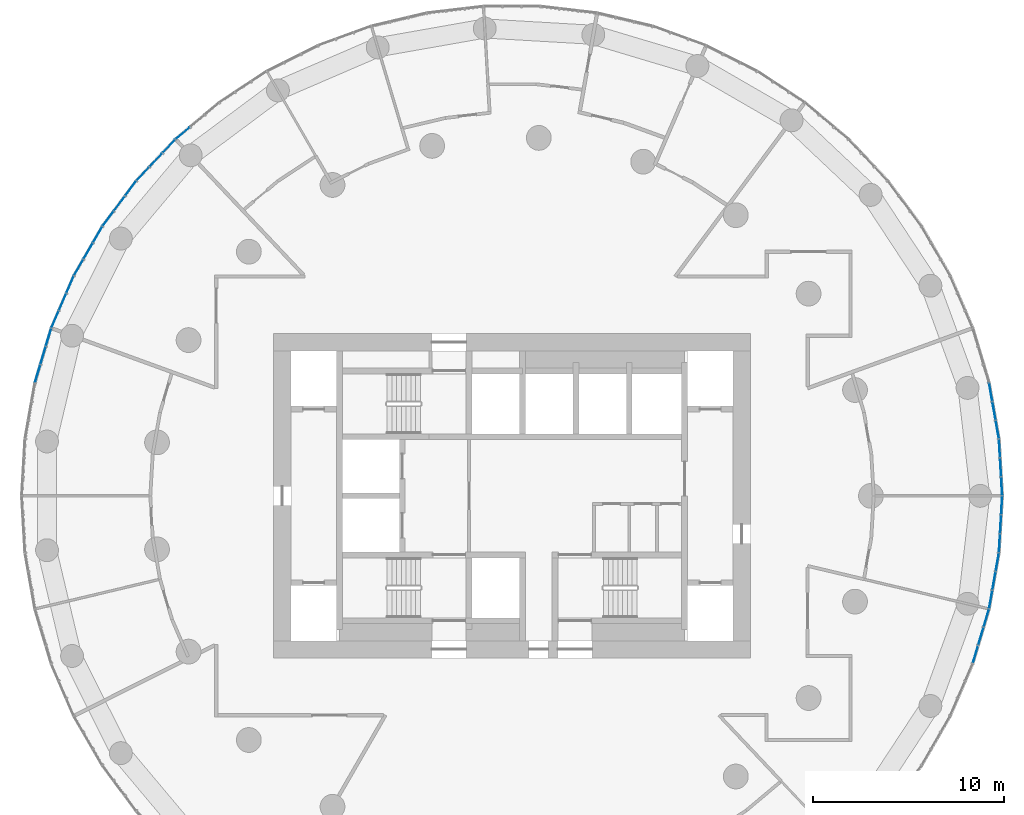
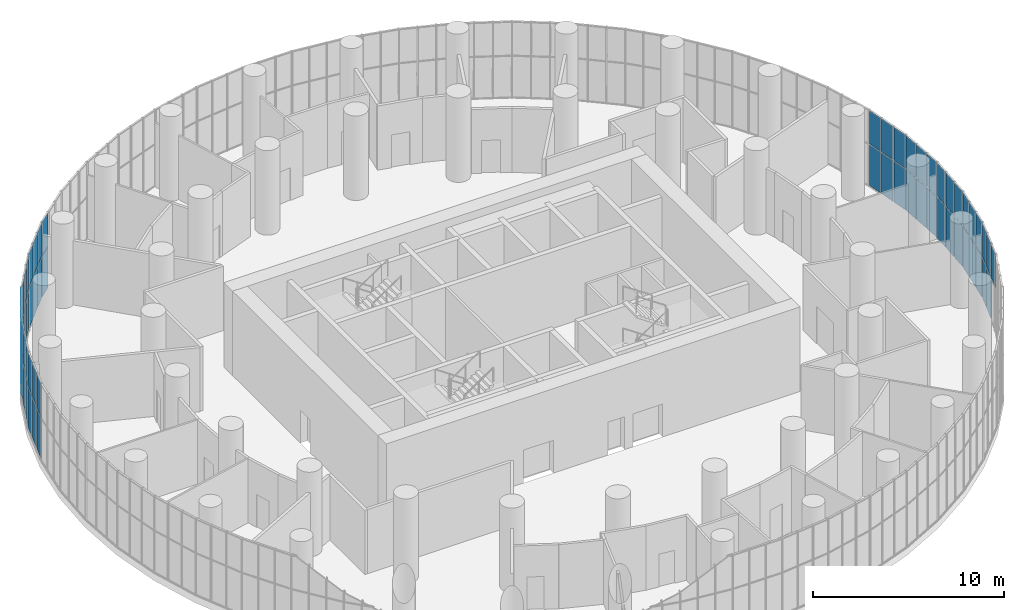
# One storey, part 13 of 21: 61 plates, 11 elements without a shape of their own.
"""IFC4 building model written with IfcOpenShell, lengths in metres."""

from ifc_helpers import new_model, si_unit, direction, frame, origin, origin_2d, place, context, subcontext, project, spatial, rectangle, extrude, material, layer, layer_set, type_object, element, aggregate, save


model = new_model("IFC4")

# Units and contexts
model_context = context("Model", 3, precision=1e-05, world=origin(), true_north=direction((0.0, 1.0)))
body_context = subcontext(model_context, "Body", "Model", "MODEL_VIEW")
ifc_project = project(units=[si_unit("LENGTHUNIT", "METRE"), si_unit("AREAUNIT", "SQUARE_METRE"), si_unit("VOLUMEUNIT", "CUBIC_METRE"), si_unit("PLANEANGLEUNIT", "RADIAN"), si_unit("MASSUNIT", "GRAM", prefix="KILO")], contexts=[model_context])

# Site, building, storey
site_placement = place(None, origin())
site = spatial("IfcSite", under=ifc_project, at=site_placement, CompositionType="ELEMENT")
building_placement = place(site_placement, origin())
building = spatial("IfcBuilding", under=site, at=building_placement, Name="Tracery Tower", CompositionType="ELEMENT")
storey_placement = place(building_placement, frame((0.0, 0.0, 219.60009765625)))
storey = spatial("IfcBuildingStorey", under=building, at=storey_placement, Name="L57", CompositionType="ELEMENT", Elevation=219.60009765625)

# Curtain wall, plates
ifc_material_1 = material(Name="Aluminium curtain wall with tinted glass", Category="aluminium")
ifc_layer_1 = layer(ifc_material_1, 0.159912109375)
ifc_layer_set_1 = layer_set([ifc_layer_1], Name="Sky lounge 2 tracery curtain wall")
curtain_wall_type = type_object("IfcCurtainWallType", Name="Sky lounge 2 tracery curtain wall", PredefinedType="NOTDEFINED", material=ifc_layer_set_1)
curtain_wall_1_placement = place(storey_placement, origin())
curtain_wall_1 = element("IfcCurtainWall", 1, at=curtain_wall_1_placement, inside=storey, type_object=curtain_wall_type, Name="Sky lounge 2 curtain wall run 1", PredefinedType="NOTDEFINED")
ifc_material_2 = material(Name="Tinted laminated glass", Category="glass")
ifc_layer_2 = layer(ifc_material_2, 0.028076171875)
ifc_layer_set_2 = layer_set([ifc_layer_2], Name="Sky lounge 2 glass panel 28")
plate_type = type_object("IfcPlateType", Name="Sky lounge 2 glass panel 28", PredefinedType="CURTAIN_PANEL", material=ifc_layer_set_2)
plate_1_placement = place(storey_placement, frame((25.678466796875, 0.497314453125, 0.06005859375), z_axis=(0.0, 0.0, 1.0), x_axis=(-0.058144828905, 0.998308158272, 0.0)))
plate_1 = element("IfcPlate", 2, at=plate_1_placement, type_object=plate_type, Name="Sky lounge 2 curtain wall run 1 glass panel 1", PredefinedType="CURTAIN_PANEL", context=body_context, shape_type="SweptSolid", body=[
    extrude(rectangle(XDim=0.9365234375, YDim=0.028076171875, at=origin_2d()), origin(), (0.0, 0.0, 1.0), 2.610107421875),
])
plate_2_placement = place(storey_placement, frame((25.678466796875, 0.497314453125, 2.72998046875), z_axis=(0.0, 0.0, 1.0), x_axis=(-0.058144828905, 0.998308158272, 0.0)))
plate_2 = element("IfcPlate", 3, at=plate_2_placement, type_object=plate_type, Name="Sky lounge 2 curtain wall run 1 glass panel 2", PredefinedType="CURTAIN_PANEL", context=body_context, shape_type="SweptSolid", body=[
    extrude(rectangle(XDim=0.9365234375, YDim=0.028076171875, at=origin_2d()), origin(), (0.0, 0.0, 1.0), 2.110107421875),
])
plate_3_placement = place(storey_placement, frame((25.62060546875, 1.4921875, 0.06005859375), z_axis=(0.0, 0.0, 1.0), x_axis=(-0.058144828905, 0.998308158272, 0.0)))
plate_3 = element("IfcPlate", 4, at=plate_3_placement, type_object=plate_type, Name="Sky lounge 2 curtain wall run 1 glass panel 3", PredefinedType="CURTAIN_PANEL", context=body_context, shape_type="SweptSolid", body=[
    extrude(rectangle(XDim=0.9365234375, YDim=0.028076171875, at=origin_2d()), origin(), (0.0, 0.0, 1.0), 2.610107421875),
])
plate_4_placement = place(storey_placement, frame((25.62060546875, 1.4921875, 2.72998046875), z_axis=(0.0, 0.0, 1.0), x_axis=(-0.058144828905, 0.998308158272, 0.0)))
plate_4 = element("IfcPlate", 5, at=plate_4_placement, type_object=plate_type, Name="Sky lounge 2 curtain wall run 1 glass panel 4", PredefinedType="CURTAIN_PANEL", context=body_context, shape_type="SweptSolid", body=[
    extrude(rectangle(XDim=0.9365234375, YDim=0.028076171875, at=origin_2d()), origin(), (0.0, 0.0, 1.0), 2.110107421875),
])
plate_5_placement = place(storey_placement, frame((25.562744140625, 2.487060546875, 0.06005859375), z_axis=(0.0, 0.0, 1.0), x_axis=(-0.058144828905, 0.998308158272, 0.0)))
plate_5 = element("IfcPlate", 6, at=plate_5_placement, type_object=plate_type, Name="Sky lounge 2 curtain wall run 1 glass panel 5", PredefinedType="CURTAIN_PANEL", context=body_context, shape_type="SweptSolid", body=[
    extrude(rectangle(XDim=0.9365234375, YDim=0.028076171875, at=origin_2d()), origin(), (0.0, 0.0, 1.0), 2.610107421875),
])
plate_6_placement = place(storey_placement, frame((25.562744140625, 2.487060546875, 2.72998046875), z_axis=(0.0, 0.0, 1.0), x_axis=(-0.058144828905, 0.998308158272, 0.0)))
plate_6 = element("IfcPlate", 7, at=plate_6_placement, type_object=plate_type, Name="Sky lounge 2 curtain wall run 1 glass panel 6", PredefinedType="CURTAIN_PANEL", context=body_context, shape_type="SweptSolid", body=[
    extrude(rectangle(XDim=0.9365234375, YDim=0.028076171875, at=origin_2d()), origin(), (0.0, 0.0, 1.0), 2.110107421875),
])
aggregate(curtain_wall_1, [plate_1, plate_2, plate_3, plate_4, plate_5, plate_6])

curtain_wall_2_placement = place(storey_placement, origin())
curtain_wall_2 = element("IfcCurtainWall", 8, at=curtain_wall_2_placement, inside=storey, type_object=curtain_wall_type, Name="Sky lounge 2 curtain wall run 2", PredefinedType="NOTDEFINED")
plate_7_placement = place(storey_placement, frame((25.447265625, 3.47509765625, 0.06005859375), z_axis=(0.0, 0.0, 1.0), x_axis=(-0.173648177667, 0.984807753012, 0.0)))
plate_7 = element("IfcPlate", 9, at=plate_7_placement, type_object=plate_type, Name="Sky lounge 2 curtain wall run 2 glass panel 1", PredefinedType="CURTAIN_PANEL", context=body_context, shape_type="SweptSolid", body=[
    extrude(rectangle(XDim=0.9365234375, YDim=0.028076171875, at=origin_2d()), origin(), (0.0, 0.0, 1.0), 2.610107421875),
])
plate_8_placement = place(storey_placement, frame((25.447265625, 3.47509765625, 2.72998046875), z_axis=(0.0, 0.0, 1.0), x_axis=(-0.173648177667, 0.984807753012, 0.0)))
plate_8 = element("IfcPlate", 10, at=plate_8_placement, type_object=plate_type, Name="Sky lounge 2 curtain wall run 2 glass panel 2", PredefinedType="CURTAIN_PANEL", context=body_context, shape_type="SweptSolid", body=[
    extrude(rectangle(XDim=0.9365234375, YDim=0.028076171875, at=origin_2d()), origin(), (0.0, 0.0, 1.0), 2.110107421875),
])
plate_9_placement = place(storey_placement, frame((25.274169921875, 4.45654296875, 0.06005859375), z_axis=(0.0, 0.0, 1.0), x_axis=(-0.173648177667, 0.984807753012, 0.0)))
plate_9 = element("IfcPlate", 11, at=plate_9_placement, type_object=plate_type, Name="Sky lounge 2 curtain wall run 2 glass panel 3", PredefinedType="CURTAIN_PANEL", context=body_context, shape_type="SweptSolid", body=[
    extrude(rectangle(XDim=0.9365234375, YDim=0.028076171875, at=origin_2d()), origin(), (0.0, 0.0, 1.0), 2.610107421875),
])
plate_10_placement = place(storey_placement, frame((25.274169921875, 4.45654296875, 2.72998046875), z_axis=(0.0, 0.0, 1.0), x_axis=(-0.173648177667, 0.984807753012, 0.0)))
plate_10 = element("IfcPlate", 12, at=plate_10_placement, type_object=plate_type, Name="Sky lounge 2 curtain wall run 2 glass panel 4", PredefinedType="CURTAIN_PANEL", context=body_context, shape_type="SweptSolid", body=[
    extrude(rectangle(XDim=0.9365234375, YDim=0.028076171875, at=origin_2d()), origin(), (0.0, 0.0, 1.0), 2.110107421875),
])
plate_11_placement = place(storey_placement, frame((25.10107421875, 5.43798828125, 0.06005859375), z_axis=(0.0, 0.0, 1.0), x_axis=(-0.173648177667, 0.984807753012, 0.0)))
plate_11 = element("IfcPlate", 13, at=plate_11_placement, type_object=plate_type, Name="Sky lounge 2 curtain wall run 2 glass panel 5", PredefinedType="CURTAIN_PANEL", context=body_context, shape_type="SweptSolid", body=[
    extrude(rectangle(XDim=0.9365234375, YDim=0.028076171875, at=origin_2d()), origin(), (0.0, 0.0, 1.0), 2.610107421875),
])
plate_12_placement = place(storey_placement, frame((25.10107421875, 5.43798828125, 2.72998046875), z_axis=(0.0, 0.0, 1.0), x_axis=(-0.173648177667, 0.984807753012, 0.0)))
plate_12 = element("IfcPlate", 14, at=plate_12_placement, type_object=plate_type, Name="Sky lounge 2 curtain wall run 2 glass panel 6", PredefinedType="CURTAIN_PANEL", context=body_context, shape_type="SweptSolid", body=[
    extrude(rectangle(XDim=0.9365234375, YDim=0.028076171875, at=origin_2d()), origin(), (0.0, 0.0, 1.0), 2.110107421875),
])
aggregate(curtain_wall_2, [plate_7, plate_8, plate_9, plate_10, plate_11, plate_12])

curtain_wall_3_placement = place(storey_placement, origin())
curtain_wall_3 = element("IfcCurtainWall", 15, at=curtain_wall_3_placement, inside=storey, type_object=curtain_wall_type, Name="Sky lounge 2 curtain wall run 20", PredefinedType="NOTDEFINED")
plate_13_placement = place(storey_placement, frame((-17.260009765625, 19.019287109375, 0.06005859375), z_axis=(0.0, 0.0, 1.0), x_axis=(-0.766044443119, -0.642787609687, 0.0)))
plate_13 = element("IfcPlate", 16, at=plate_13_placement, type_object=plate_type, Name="Sky lounge 2 curtain wall run 20 glass panel 5", PredefinedType="CURTAIN_PANEL", context=body_context, shape_type="SweptSolid", body=[
    extrude(rectangle(XDim=0.9365234375, YDim=0.028076171875, at=origin_2d()), origin(), (0.0, 0.0, 1.0), 2.610107421875),
])
plate_14_placement = place(storey_placement, frame((-17.260009765625, 19.019287109375, 2.72998046875), z_axis=(0.0, 0.0, 1.0), x_axis=(-0.766044443119, -0.642787609687, 0.0)))
plate_14 = element("IfcPlate", 17, at=plate_14_placement, type_object=plate_type, Name="Sky lounge 2 curtain wall run 20 glass panel 6", PredefinedType="CURTAIN_PANEL", context=body_context, shape_type="SweptSolid", body=[
    extrude(rectangle(XDim=0.9365234375, YDim=0.028076171875, at=origin_2d()), origin(), (0.0, 0.0, 1.0), 2.110107421875),
])
aggregate(curtain_wall_3, [plate_13, plate_14])

curtain_wall_4_placement = place(storey_placement, origin())
curtain_wall_4 = element("IfcCurtainWall", 18, at=curtain_wall_4_placement, inside=storey, type_object=curtain_wall_type, Name="Sky lounge 2 curtain wall run 21", PredefinedType="NOTDEFINED")
plate_15_placement = place(storey_placement, frame((-17.9833984375, 18.336669921875, 0.06005859375), z_axis=(0.0, 0.0, 1.0), x_axis=(-0.686241637865, -0.727373641577, 0.0)))
plate_15 = element("IfcPlate", 19, at=plate_15_placement, type_object=plate_type, Name="Sky lounge 2 curtain wall run 21 glass panel 1", PredefinedType="CURTAIN_PANEL", context=body_context, shape_type="SweptSolid", body=[
    extrude(rectangle(XDim=0.9365234375, YDim=0.028076171875, at=origin_2d()), origin(), (0.0, 0.0, 1.0), 2.610107421875),
])
plate_16_placement = place(storey_placement, frame((-17.9833984375, 18.336669921875, 2.72998046875), z_axis=(0.0, 0.0, 1.0), x_axis=(-0.686241637865, -0.727373641577, 0.0)))
plate_16 = element("IfcPlate", 20, at=plate_16_placement, type_object=plate_type, Name="Sky lounge 2 curtain wall run 21 glass panel 2", PredefinedType="CURTAIN_PANEL", context=body_context, shape_type="SweptSolid", body=[
    extrude(rectangle(XDim=0.9365234375, YDim=0.028076171875, at=origin_2d()), origin(), (0.0, 0.0, 1.0), 2.110107421875),
])
plate_17_placement = place(storey_placement, frame((-18.667236328125, 17.61181640625, 0.06005859375), z_axis=(0.0, 0.0, 1.0), x_axis=(-0.686241637865, -0.727373641577, 0.0)))
plate_17 = element("IfcPlate", 21, at=plate_17_placement, type_object=plate_type, Name="Sky lounge 2 curtain wall run 21 glass panel 3", PredefinedType="CURTAIN_PANEL", context=body_context, shape_type="SweptSolid", body=[
    extrude(rectangle(XDim=0.9365234375, YDim=0.028076171875, at=origin_2d()), origin(), (0.0, 0.0, 1.0), 2.610107421875),
])
plate_18_placement = place(storey_placement, frame((-18.667236328125, 17.61181640625, 2.72998046875), z_axis=(0.0, 0.0, 1.0), x_axis=(-0.686241637865, -0.727373641577, 0.0)))
plate_18 = element("IfcPlate", 22, at=plate_18_placement, type_object=plate_type, Name="Sky lounge 2 curtain wall run 21 glass panel 4", PredefinedType="CURTAIN_PANEL", context=body_context, shape_type="SweptSolid", body=[
    extrude(rectangle(XDim=0.9365234375, YDim=0.028076171875, at=origin_2d()), origin(), (0.0, 0.0, 1.0), 2.110107421875),
])
plate_19_placement = place(storey_placement, frame((-19.351318359375, 16.886962890625, 0.06005859375), z_axis=(0.0, 0.0, 1.0), x_axis=(-0.686241637865, -0.727373641577, 0.0)))
plate_19 = element("IfcPlate", 23, at=plate_19_placement, type_object=plate_type, Name="Sky lounge 2 curtain wall run 21 glass panel 5", PredefinedType="CURTAIN_PANEL", context=body_context, shape_type="SweptSolid", body=[
    extrude(rectangle(XDim=0.9365234375, YDim=0.028076171875, at=origin_2d()), origin(), (0.0, 0.0, 1.0), 2.610107421875),
])
plate_20_placement = place(storey_placement, frame((-19.351318359375, 16.886962890625, 2.72998046875), z_axis=(0.0, 0.0, 1.0), x_axis=(-0.686241637865, -0.727373641577, 0.0)))
plate_20 = element("IfcPlate", 24, at=plate_20_placement, type_object=plate_type, Name="Sky lounge 2 curtain wall run 21 glass panel 6", PredefinedType="CURTAIN_PANEL", context=body_context, shape_type="SweptSolid", body=[
    extrude(rectangle(XDim=0.9365234375, YDim=0.028076171875, at=origin_2d()), origin(), (0.0, 0.0, 1.0), 2.110107421875),
])
aggregate(curtain_wall_4, [plate_15, plate_16, plate_17, plate_18, plate_19, plate_20])

curtain_wall_5_placement = place(storey_placement, origin())
curtain_wall_5 = element("IfcCurtainWall", 25, at=curtain_wall_5_placement, inside=storey, type_object=curtain_wall_type, Name="Sky lounge 2 curtain wall run 22", PredefinedType="NOTDEFINED")
plate_21_placement = place(storey_placement, frame((-19.99072265625, 16.124755859375, 0.06005859375), z_axis=(0.0, 0.0, 1.0), x_axis=(-0.597158591707, -0.802123192752, 0.0)))
plate_21 = element("IfcPlate", 26, at=plate_21_placement, type_object=plate_type, Name="Sky lounge 2 curtain wall run 22 glass panel 1", PredefinedType="CURTAIN_PANEL", context=body_context, shape_type="SweptSolid", body=[
    extrude(rectangle(XDim=0.9365234375, YDim=0.028076171875, at=origin_2d()), origin(), (0.0, 0.0, 1.0), 2.610107421875),
])
plate_22_placement = place(storey_placement, frame((-19.99072265625, 16.124755859375, 2.72998046875), z_axis=(0.0, 0.0, 1.0), x_axis=(-0.597158591707, -0.802123192752, 0.0)))
plate_22 = element("IfcPlate", 27, at=plate_22_placement, type_object=plate_type, Name="Sky lounge 2 curtain wall run 22 glass panel 2", PredefinedType="CURTAIN_PANEL", context=body_context, shape_type="SweptSolid", body=[
    extrude(rectangle(XDim=0.9365234375, YDim=0.028076171875, at=origin_2d()), origin(), (0.0, 0.0, 1.0), 2.110107421875),
])
plate_23_placement = place(storey_placement, frame((-20.585693359375, 15.325439453125, 0.06005859375), z_axis=(0.0, 0.0, 1.0), x_axis=(-0.597158591707, -0.802123192752, 0.0)))
plate_23 = element("IfcPlate", 28, at=plate_23_placement, type_object=plate_type, Name="Sky lounge 2 curtain wall run 22 glass panel 3", PredefinedType="CURTAIN_PANEL", context=body_context, shape_type="SweptSolid", body=[
    extrude(rectangle(XDim=0.9365234375, YDim=0.028076171875, at=origin_2d()), origin(), (0.0, 0.0, 1.0), 2.610107421875),
])
plate_24_placement = place(storey_placement, frame((-20.585693359375, 15.325439453125, 2.72998046875), z_axis=(0.0, 0.0, 1.0), x_axis=(-0.597158591707, -0.802123192752, 0.0)))
plate_24 = element("IfcPlate", 29, at=plate_24_placement, type_object=plate_type, Name="Sky lounge 2 curtain wall run 22 glass panel 4", PredefinedType="CURTAIN_PANEL", context=body_context, shape_type="SweptSolid", body=[
    extrude(rectangle(XDim=0.9365234375, YDim=0.028076171875, at=origin_2d()), origin(), (0.0, 0.0, 1.0), 2.110107421875),
])
plate_25_placement = place(storey_placement, frame((-21.180908203125, 14.526123046875, 0.06005859375), z_axis=(0.0, 0.0, 1.0), x_axis=(-0.597158591707, -0.802123192752, 0.0)))
plate_25 = element("IfcPlate", 30, at=plate_25_placement, type_object=plate_type, Name="Sky lounge 2 curtain wall run 22 glass panel 5", PredefinedType="CURTAIN_PANEL", context=body_context, shape_type="SweptSolid", body=[
    extrude(rectangle(XDim=0.9365234375, YDim=0.028076171875, at=origin_2d()), origin(), (0.0, 0.0, 1.0), 2.610107421875),
])
plate_26_placement = place(storey_placement, frame((-21.180908203125, 14.526123046875, 2.72998046875), z_axis=(0.0, 0.0, 1.0), x_axis=(-0.597158591707, -0.802123192752, 0.0)))
plate_26 = element("IfcPlate", 31, at=plate_26_placement, type_object=plate_type, Name="Sky lounge 2 curtain wall run 22 glass panel 6", PredefinedType="CURTAIN_PANEL", context=body_context, shape_type="SweptSolid", body=[
    extrude(rectangle(XDim=0.9365234375, YDim=0.028076171875, at=origin_2d()), origin(), (0.0, 0.0, 1.0), 2.110107421875),
])
aggregate(curtain_wall_5, [plate_21, plate_22, plate_23, plate_24, plate_25, plate_26])

curtain_wall_6_placement = place(storey_placement, origin())
curtain_wall_6 = element("IfcCurtainWall", 32, at=curtain_wall_6_placement, inside=storey, type_object=curtain_wall_type, Name="Sky lounge 2 curtain wall run 23", PredefinedType="NOTDEFINED")
plate_27_placement = place(storey_placement, frame((-21.7275390625, 13.695068359375, 0.06005859375), z_axis=(0.0, 0.0, 1.0), x_axis=(-0.5, -0.866025403784, 0.0)))
plate_27 = element("IfcPlate", 33, at=plate_27_placement, type_object=plate_type, Name="Sky lounge 2 curtain wall run 23 glass panel 1", PredefinedType="CURTAIN_PANEL", context=body_context, shape_type="SweptSolid", body=[
    extrude(rectangle(XDim=0.9365234375, YDim=0.028076171875, at=origin_2d()), origin(), (0.0, 0.0, 1.0), 2.610107421875),
])
plate_28_placement = place(storey_placement, frame((-21.7275390625, 13.695068359375, 2.72998046875), z_axis=(0.0, 0.0, 1.0), x_axis=(-0.5, -0.866025403784, 0.0)))
plate_28 = element("IfcPlate", 34, at=plate_28_placement, type_object=plate_type, Name="Sky lounge 2 curtain wall run 23 glass panel 2", PredefinedType="CURTAIN_PANEL", context=body_context, shape_type="SweptSolid", body=[
    extrude(rectangle(XDim=0.9365234375, YDim=0.028076171875, at=origin_2d()), origin(), (0.0, 0.0, 1.0), 2.110107421875),
])
plate_29_placement = place(storey_placement, frame((-22.225830078125, 12.83203125, 0.06005859375), z_axis=(0.0, 0.0, 1.0), x_axis=(-0.5, -0.866025403784, 0.0)))
plate_29 = element("IfcPlate", 35, at=plate_29_placement, type_object=plate_type, Name="Sky lounge 2 curtain wall run 23 glass panel 3", PredefinedType="CURTAIN_PANEL", context=body_context, shape_type="SweptSolid", body=[
    extrude(rectangle(XDim=0.9365234375, YDim=0.028076171875, at=origin_2d()), origin(), (0.0, 0.0, 1.0), 2.610107421875),
])
plate_30_placement = place(storey_placement, frame((-22.225830078125, 12.83203125, 2.72998046875), z_axis=(0.0, 0.0, 1.0), x_axis=(-0.5, -0.866025403784, 0.0)))
plate_30 = element("IfcPlate", 36, at=plate_30_placement, type_object=plate_type, Name="Sky lounge 2 curtain wall run 23 glass panel 4", PredefinedType="CURTAIN_PANEL", context=body_context, shape_type="SweptSolid", body=[
    extrude(rectangle(XDim=0.9365234375, YDim=0.028076171875, at=origin_2d()), origin(), (0.0, 0.0, 1.0), 2.110107421875),
])
plate_31_placement = place(storey_placement, frame((-22.723876953125, 11.968994140625, 0.06005859375), z_axis=(0.0, 0.0, 1.0), x_axis=(-0.5, -0.866025403784, 0.0)))
plate_31 = element("IfcPlate", 37, at=plate_31_placement, type_object=plate_type, Name="Sky lounge 2 curtain wall run 23 glass panel 5", PredefinedType="CURTAIN_PANEL", context=body_context, shape_type="SweptSolid", body=[
    extrude(rectangle(XDim=0.9365234375, YDim=0.028076171875, at=origin_2d()), origin(), (0.0, 0.0, 1.0), 2.610107421875),
])
plate_32_placement = place(storey_placement, frame((-22.723876953125, 11.968994140625, 2.72998046875), z_axis=(0.0, 0.0, 1.0), x_axis=(-0.5, -0.866025403784, 0.0)))
plate_32 = element("IfcPlate", 38, at=plate_32_placement, type_object=plate_type, Name="Sky lounge 2 curtain wall run 23 glass panel 6", PredefinedType="CURTAIN_PANEL", context=body_context, shape_type="SweptSolid", body=[
    extrude(rectangle(XDim=0.9365234375, YDim=0.028076171875, at=origin_2d()), origin(), (0.0, 0.0, 1.0), 2.110107421875),
])
aggregate(curtain_wall_6, [plate_27, plate_28, plate_29, plate_30, plate_31, plate_32])

curtain_wall_7_placement = place(storey_placement, origin())
curtain_wall_7 = element("IfcCurtainWall", 39, at=curtain_wall_7_placement, inside=storey, type_object=curtain_wall_type, Name="Sky lounge 2 curtain wall run 24", PredefinedType="NOTDEFINED")
plate_33_placement = place(storey_placement, frame((-23.17041015625, 11.080078125, 0.06005859375), z_axis=(0.0, 0.0, 1.0), x_axis=(-0.396079766034, -0.918216106883, 0.0)))
plate_33 = element("IfcPlate", 40, at=plate_33_placement, type_object=plate_type, Name="Sky lounge 2 curtain wall run 24 glass panel 1", PredefinedType="CURTAIN_PANEL", context=body_context, shape_type="SweptSolid", body=[
    extrude(rectangle(XDim=0.9365234375, YDim=0.028076171875, at=origin_2d()), origin(), (0.0, 0.0, 1.0), 2.610107421875),
])
plate_34_placement = place(storey_placement, frame((-23.17041015625, 11.080078125, 2.72998046875), z_axis=(0.0, 0.0, 1.0), x_axis=(-0.396079766034, -0.918216106883, 0.0)))
plate_34 = element("IfcPlate", 41, at=plate_34_placement, type_object=plate_type, Name="Sky lounge 2 curtain wall run 24 glass panel 2", PredefinedType="CURTAIN_PANEL", context=body_context, shape_type="SweptSolid", body=[
    extrude(rectangle(XDim=0.9365234375, YDim=0.028076171875, at=origin_2d()), origin(), (0.0, 0.0, 1.0), 2.110107421875),
])
plate_35_placement = place(storey_placement, frame((-23.565185546875, 10.1650390625, 0.06005859375), z_axis=(0.0, 0.0, 1.0), x_axis=(-0.396079766034, -0.918216106883, 0.0)))
plate_35 = element("IfcPlate", 42, at=plate_35_placement, type_object=plate_type, Name="Sky lounge 2 curtain wall run 24 glass panel 3", PredefinedType="CURTAIN_PANEL", context=body_context, shape_type="SweptSolid", body=[
    extrude(rectangle(XDim=0.9365234375, YDim=0.028076171875, at=origin_2d()), origin(), (0.0, 0.0, 1.0), 2.610107421875),
])
plate_36_placement = place(storey_placement, frame((-23.565185546875, 10.1650390625, 2.72998046875), z_axis=(0.0, 0.0, 1.0), x_axis=(-0.396079766034, -0.918216106883, 0.0)))
plate_36 = element("IfcPlate", 43, at=plate_36_placement, type_object=plate_type, Name="Sky lounge 2 curtain wall run 24 glass panel 4", PredefinedType="CURTAIN_PANEL", context=body_context, shape_type="SweptSolid", body=[
    extrude(rectangle(XDim=0.9365234375, YDim=0.028076171875, at=origin_2d()), origin(), (0.0, 0.0, 1.0), 2.110107421875),
])
plate_37_placement = place(storey_placement, frame((-23.9599609375, 9.25, 0.06005859375), z_axis=(0.0, 0.0, 1.0), x_axis=(-0.396079766034, -0.918216106883, 0.0)))
plate_37 = element("IfcPlate", 44, at=plate_37_placement, type_object=plate_type, Name="Sky lounge 2 curtain wall run 24 glass panel 5", PredefinedType="CURTAIN_PANEL", context=body_context, shape_type="SweptSolid", body=[
    extrude(rectangle(XDim=0.9365234375, YDim=0.028076171875, at=origin_2d()), origin(), (0.0, 0.0, 1.0), 2.610107421875),
])
plate_38_placement = place(storey_placement, frame((-23.9599609375, 9.25, 2.72998046875), z_axis=(0.0, 0.0, 1.0), x_axis=(-0.396079766034, -0.918216106883, 0.0)))
plate_38 = element("IfcPlate", 45, at=plate_38_placement, type_object=plate_type, Name="Sky lounge 2 curtain wall run 24 glass panel 6", PredefinedType="CURTAIN_PANEL", context=body_context, shape_type="SweptSolid", body=[
    extrude(rectangle(XDim=0.9365234375, YDim=0.028076171875, at=origin_2d()), origin(), (0.0, 0.0, 1.0), 2.110107421875),
])
aggregate(curtain_wall_7, [plate_33, plate_34, plate_35, plate_36, plate_37, plate_38])

curtain_wall_8_placement = place(storey_placement, origin())
curtain_wall_8 = element("IfcCurtainWall", 46, at=curtain_wall_8_placement, inside=storey, type_object=curtain_wall_type, Name="Sky lounge 2 curtain wall run 25", PredefinedType="NOTDEFINED")
plate_39_placement = place(storey_placement, frame((-24.300048828125, 8.315185546875, 0.06005859375), z_axis=(0.0, 0.0, 1.0), x_axis=(-0.286803232717, -0.957989512314, 0.0)))
plate_39 = element("IfcPlate", 47, at=plate_39_placement, type_object=plate_type, Name="Sky lounge 2 curtain wall run 25 glass panel 1", PredefinedType="CURTAIN_PANEL", context=body_context, shape_type="SweptSolid", body=[
    extrude(rectangle(XDim=0.9365234375, YDim=0.028076171875, at=origin_2d()), origin(), (0.0, 0.0, 1.0), 2.610107421875),
])
plate_40_placement = place(storey_placement, frame((-24.300048828125, 8.315185546875, 2.72998046875), z_axis=(0.0, 0.0, 1.0), x_axis=(-0.286803232717, -0.957989512314, 0.0)))
plate_40 = element("IfcPlate", 48, at=plate_40_placement, type_object=plate_type, Name="Sky lounge 2 curtain wall run 25 glass panel 2", PredefinedType="CURTAIN_PANEL", context=body_context, shape_type="SweptSolid", body=[
    extrude(rectangle(XDim=0.9365234375, YDim=0.028076171875, at=origin_2d()), origin(), (0.0, 0.0, 1.0), 2.110107421875),
])
plate_41_placement = place(storey_placement, frame((-24.5859375, 7.360595703125, 0.06005859375), z_axis=(0.0, 0.0, 1.0), x_axis=(-0.286803232717, -0.957989512314, 0.0)))
plate_41 = element("IfcPlate", 49, at=plate_41_placement, type_object=plate_type, Name="Sky lounge 2 curtain wall run 25 glass panel 3", PredefinedType="CURTAIN_PANEL", context=body_context, shape_type="SweptSolid", body=[
    extrude(rectangle(XDim=0.9365234375, YDim=0.028076171875, at=origin_2d()), origin(), (0.0, 0.0, 1.0), 2.610107421875),
])
plate_42_placement = place(storey_placement, frame((-24.5859375, 7.360595703125, 2.72998046875), z_axis=(0.0, 0.0, 1.0), x_axis=(-0.286803232717, -0.957989512314, 0.0)))
plate_42 = element("IfcPlate", 50, at=plate_42_placement, type_object=plate_type, Name="Sky lounge 2 curtain wall run 25 glass panel 4", PredefinedType="CURTAIN_PANEL", context=body_context, shape_type="SweptSolid", body=[
    extrude(rectangle(XDim=0.9365234375, YDim=0.028076171875, at=origin_2d()), origin(), (0.0, 0.0, 1.0), 2.110107421875),
])
plate_43_placement = place(storey_placement, frame((-24.87158203125, 6.406005859375, 0.06005859375), z_axis=(0.0, 0.0, 1.0), x_axis=(-0.286803232717, -0.957989512314, 0.0)))
plate_43 = element("IfcPlate", 51, at=plate_43_placement, type_object=plate_type, Name="Sky lounge 2 curtain wall run 25 glass panel 5", PredefinedType="CURTAIN_PANEL", context=body_context, shape_type="SweptSolid", body=[
    extrude(rectangle(XDim=0.9365234375, YDim=0.028076171875, at=origin_2d()), origin(), (0.0, 0.0, 1.0), 2.610107421875),
])
plate_44_placement = place(storey_placement, frame((-24.87158203125, 6.406005859375, 2.72998046875), z_axis=(0.0, 0.0, 1.0), x_axis=(-0.286803232717, -0.957989512314, 0.0)))
plate_44 = element("IfcPlate", 52, at=plate_44_placement, type_object=plate_type, Name="Sky lounge 2 curtain wall run 25 glass panel 6", PredefinedType="CURTAIN_PANEL", context=body_context, shape_type="SweptSolid", body=[
    extrude(rectangle(XDim=0.9365234375, YDim=0.028076171875, at=origin_2d()), origin(), (0.0, 0.0, 1.0), 2.110107421875),
])
aggregate(curtain_wall_8, [plate_39, plate_40, plate_41, plate_42, plate_43, plate_44])

curtain_wall_9_placement = place(storey_placement, origin())
curtain_wall_9 = element("IfcCurtainWall", 53, at=curtain_wall_9_placement, inside=storey, type_object=curtain_wall_type, Name="Sky lounge 2 curtain wall run 52", PredefinedType="NOTDEFINED")
plate_45_placement = place(storey_placement, frame((24.300048828125, -8.315185546875, 2.72998046875), z_axis=(0.0, 0.0, 1.0), x_axis=(0.286803232717, 0.957989512314, 0.0)))
plate_45 = element("IfcPlate", 54, at=plate_45_placement, type_object=plate_type, Name="Sky lounge 2 curtain wall run 52 glass panel 2", PredefinedType="CURTAIN_PANEL", context=body_context, shape_type="SweptSolid", body=[
    extrude(rectangle(XDim=0.9365234375, YDim=0.028076171875, at=origin_2d()), origin(), (0.0, 0.0, 1.0), 2.110107421875),
])
plate_46_placement = place(storey_placement, frame((24.5859375, -7.360595703125, 0.06005859375), z_axis=(0.0, 0.0, 1.0), x_axis=(0.286803232717, 0.957989512314, 0.0)))
plate_46 = element("IfcPlate", 55, at=plate_46_placement, type_object=plate_type, Name="Sky lounge 2 curtain wall run 52 glass panel 3", PredefinedType="CURTAIN_PANEL", context=body_context, shape_type="SweptSolid", body=[
    extrude(rectangle(XDim=0.9365234375, YDim=0.028076171875, at=origin_2d()), origin(), (0.0, 0.0, 1.0), 2.610107421875),
])
plate_47_placement = place(storey_placement, frame((24.5859375, -7.360595703125, 2.72998046875), z_axis=(0.0, 0.0, 1.0), x_axis=(0.286803232717, 0.957989512314, 0.0)))
plate_47 = element("IfcPlate", 56, at=plate_47_placement, type_object=plate_type, Name="Sky lounge 2 curtain wall run 52 glass panel 4", PredefinedType="CURTAIN_PANEL", context=body_context, shape_type="SweptSolid", body=[
    extrude(rectangle(XDim=0.9365234375, YDim=0.028076171875, at=origin_2d()), origin(), (0.0, 0.0, 1.0), 2.110107421875),
])
plate_48_placement = place(storey_placement, frame((24.87158203125, -6.406005859375, 0.06005859375), z_axis=(0.0, 0.0, 1.0), x_axis=(0.286803232717, 0.957989512314, 0.0)))
plate_48 = element("IfcPlate", 57, at=plate_48_placement, type_object=plate_type, Name="Sky lounge 2 curtain wall run 52 glass panel 5", PredefinedType="CURTAIN_PANEL", context=body_context, shape_type="SweptSolid", body=[
    extrude(rectangle(XDim=0.9365234375, YDim=0.028076171875, at=origin_2d()), origin(), (0.0, 0.0, 1.0), 2.610107421875),
])
plate_49_placement = place(storey_placement, frame((24.87158203125, -6.406005859375, 2.72998046875), z_axis=(0.0, 0.0, 1.0), x_axis=(0.286803232717, 0.957989512314, 0.0)))
plate_49 = element("IfcPlate", 58, at=plate_49_placement, type_object=plate_type, Name="Sky lounge 2 curtain wall run 52 glass panel 6", PredefinedType="CURTAIN_PANEL", context=body_context, shape_type="SweptSolid", body=[
    extrude(rectangle(XDim=0.9365234375, YDim=0.028076171875, at=origin_2d()), origin(), (0.0, 0.0, 1.0), 2.110107421875),
])
aggregate(curtain_wall_9, [plate_45, plate_46, plate_47, plate_48, plate_49])

curtain_wall_10_placement = place(storey_placement, origin())
curtain_wall_10 = element("IfcCurtainWall", 59, at=curtain_wall_10_placement, inside=storey, type_object=curtain_wall_type, Name="Sky lounge 2 curtain wall run 53", PredefinedType="NOTDEFINED")
plate_50_placement = place(storey_placement, frame((25.10107421875, -5.43798828125, 0.06005859375), z_axis=(0.0, 0.0, 1.0), x_axis=(0.173648177667, 0.984807753012, 0.0)))
plate_50 = element("IfcPlate", 60, at=plate_50_placement, type_object=plate_type, Name="Sky lounge 2 curtain wall run 53 glass panel 1", PredefinedType="CURTAIN_PANEL", context=body_context, shape_type="SweptSolid", body=[
    extrude(rectangle(XDim=0.9365234375, YDim=0.028076171875, at=origin_2d()), origin(), (0.0, 0.0, 1.0), 2.610107421875),
])
plate_51_placement = place(storey_placement, frame((25.10107421875, -5.43798828125, 2.72998046875), z_axis=(0.0, 0.0, 1.0), x_axis=(0.173648177667, 0.984807753012, 0.0)))
plate_51 = element("IfcPlate", 61, at=plate_51_placement, type_object=plate_type, Name="Sky lounge 2 curtain wall run 53 glass panel 2", PredefinedType="CURTAIN_PANEL", context=body_context, shape_type="SweptSolid", body=[
    extrude(rectangle(XDim=0.9365234375, YDim=0.028076171875, at=origin_2d()), origin(), (0.0, 0.0, 1.0), 2.110107421875),
])
plate_52_placement = place(storey_placement, frame((25.274169921875, -4.45654296875, 0.06005859375), z_axis=(0.0, 0.0, 1.0), x_axis=(0.173648177667, 0.984807753012, 0.0)))
plate_52 = element("IfcPlate", 62, at=plate_52_placement, type_object=plate_type, Name="Sky lounge 2 curtain wall run 53 glass panel 3", PredefinedType="CURTAIN_PANEL", context=body_context, shape_type="SweptSolid", body=[
    extrude(rectangle(XDim=0.9365234375, YDim=0.028076171875, at=origin_2d()), origin(), (0.0, 0.0, 1.0), 2.610107421875),
])
plate_53_placement = place(storey_placement, frame((25.274169921875, -4.45654296875, 2.72998046875), z_axis=(0.0, 0.0, 1.0), x_axis=(0.173648177667, 0.984807753012, 0.0)))
plate_53 = element("IfcPlate", 63, at=plate_53_placement, type_object=plate_type, Name="Sky lounge 2 curtain wall run 53 glass panel 4", PredefinedType="CURTAIN_PANEL", context=body_context, shape_type="SweptSolid", body=[
    extrude(rectangle(XDim=0.9365234375, YDim=0.028076171875, at=origin_2d()), origin(), (0.0, 0.0, 1.0), 2.110107421875),
])
plate_54_placement = place(storey_placement, frame((25.447265625, -3.47509765625, 0.06005859375), z_axis=(0.0, 0.0, 1.0), x_axis=(0.173648177667, 0.984807753012, 0.0)))
plate_54 = element("IfcPlate", 64, at=plate_54_placement, type_object=plate_type, Name="Sky lounge 2 curtain wall run 53 glass panel 5", PredefinedType="CURTAIN_PANEL", context=body_context, shape_type="SweptSolid", body=[
    extrude(rectangle(XDim=0.9365234375, YDim=0.028076171875, at=origin_2d()), origin(), (0.0, 0.0, 1.0), 2.610107421875),
])
plate_55_placement = place(storey_placement, frame((25.447265625, -3.47509765625, 2.72998046875), z_axis=(0.0, 0.0, 1.0), x_axis=(0.173648177667, 0.984807753012, 0.0)))
plate_55 = element("IfcPlate", 65, at=plate_55_placement, type_object=plate_type, Name="Sky lounge 2 curtain wall run 53 glass panel 6", PredefinedType="CURTAIN_PANEL", context=body_context, shape_type="SweptSolid", body=[
    extrude(rectangle(XDim=0.9365234375, YDim=0.028076171875, at=origin_2d()), origin(), (0.0, 0.0, 1.0), 2.110107421875),
])
aggregate(curtain_wall_10, [plate_50, plate_51, plate_52, plate_53, plate_54, plate_55])

curtain_wall_11_placement = place(storey_placement, origin())
curtain_wall_11 = element("IfcCurtainWall", 66, at=curtain_wall_11_placement, inside=storey, type_object=curtain_wall_type, Name="Sky lounge 2 curtain wall run 54", PredefinedType="NOTDEFINED")
plate_56_placement = place(storey_placement, frame((25.562744140625, -2.487060546875, 0.06005859375), z_axis=(0.0, 0.0, 1.0), x_axis=(0.058144828905, 0.998308158272, 0.0)))
plate_56 = element("IfcPlate", 67, at=plate_56_placement, type_object=plate_type, Name="Sky lounge 2 curtain wall run 54 glass panel 1", PredefinedType="CURTAIN_PANEL", context=body_context, shape_type="SweptSolid", body=[
    extrude(rectangle(XDim=0.9365234375, YDim=0.028076171875, at=origin_2d()), origin(), (0.0, 0.0, 1.0), 2.610107421875),
])
plate_57_placement = place(storey_placement, frame((25.562744140625, -2.487060546875, 2.72998046875), z_axis=(0.0, 0.0, 1.0), x_axis=(0.058144828905, 0.998308158272, 0.0)))
plate_57 = element("IfcPlate", 68, at=plate_57_placement, type_object=plate_type, Name="Sky lounge 2 curtain wall run 54 glass panel 2", PredefinedType="CURTAIN_PANEL", context=body_context, shape_type="SweptSolid", body=[
    extrude(rectangle(XDim=0.9365234375, YDim=0.028076171875, at=origin_2d()), origin(), (0.0, 0.0, 1.0), 2.110107421875),
])
plate_58_placement = place(storey_placement, frame((25.62060546875, -1.4921875, 0.06005859375), z_axis=(0.0, 0.0, 1.0), x_axis=(0.058144828905, 0.998308158272, 0.0)))
plate_58 = element("IfcPlate", 69, at=plate_58_placement, type_object=plate_type, Name="Sky lounge 2 curtain wall run 54 glass panel 3", PredefinedType="CURTAIN_PANEL", context=body_context, shape_type="SweptSolid", body=[
    extrude(rectangle(XDim=0.9365234375, YDim=0.028076171875, at=origin_2d()), origin(), (0.0, 0.0, 1.0), 2.610107421875),
])
plate_59_placement = place(storey_placement, frame((25.62060546875, -1.4921875, 2.72998046875), z_axis=(0.0, 0.0, 1.0), x_axis=(0.058144828905, 0.998308158272, 0.0)))
plate_59 = element("IfcPlate", 70, at=plate_59_placement, type_object=plate_type, Name="Sky lounge 2 curtain wall run 54 glass panel 4", PredefinedType="CURTAIN_PANEL", context=body_context, shape_type="SweptSolid", body=[
    extrude(rectangle(XDim=0.9365234375, YDim=0.028076171875, at=origin_2d()), origin(), (0.0, 0.0, 1.0), 2.110107421875),
])
plate_60_placement = place(storey_placement, frame((25.678466796875, -0.497314453125, 0.06005859375), z_axis=(0.0, 0.0, 1.0), x_axis=(0.058144828905, 0.998308158272, 0.0)))
plate_60 = element("IfcPlate", 71, at=plate_60_placement, type_object=plate_type, Name="Sky lounge 2 curtain wall run 54 glass panel 5", PredefinedType="CURTAIN_PANEL", context=body_context, shape_type="SweptSolid", body=[
    extrude(rectangle(XDim=0.9365234375, YDim=0.028076171875, at=origin_2d()), origin(), (0.0, 0.0, 1.0), 2.610107421875),
])
plate_61_placement = place(storey_placement, frame((25.678466796875, -0.497314453125, 2.72998046875), z_axis=(0.0, 0.0, 1.0), x_axis=(0.058144828905, 0.998308158272, 0.0)))
plate_61 = element("IfcPlate", 72, at=plate_61_placement, type_object=plate_type, Name="Sky lounge 2 curtain wall run 54 glass panel 6", PredefinedType="CURTAIN_PANEL", context=body_context, shape_type="SweptSolid", body=[
    extrude(rectangle(XDim=0.9365234375, YDim=0.028076171875, at=origin_2d()), origin(), (0.0, 0.0, 1.0), 2.110107421875),
])
aggregate(curtain_wall_11, [plate_56, plate_57, plate_58, plate_59, plate_60, plate_61])

save(model, "model.ifc")
